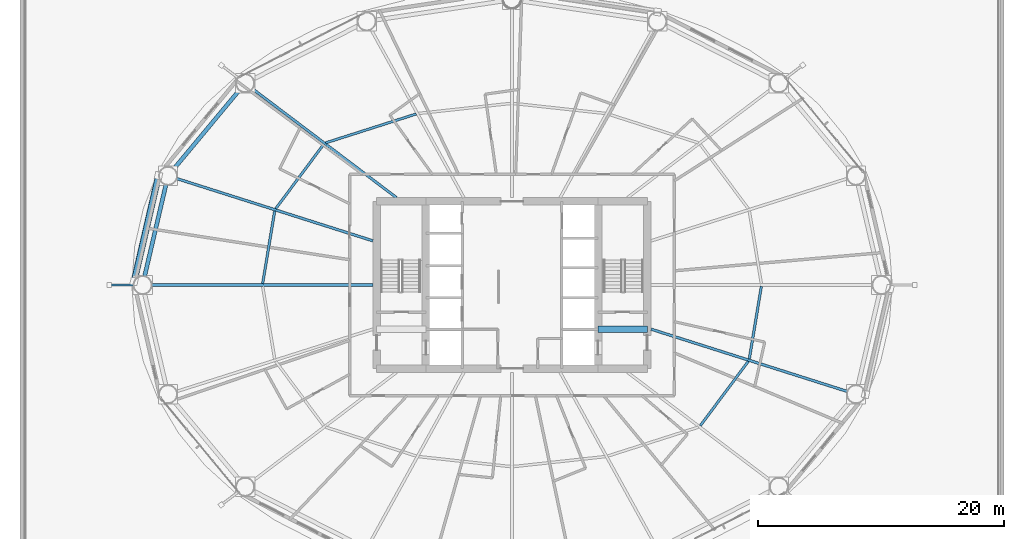
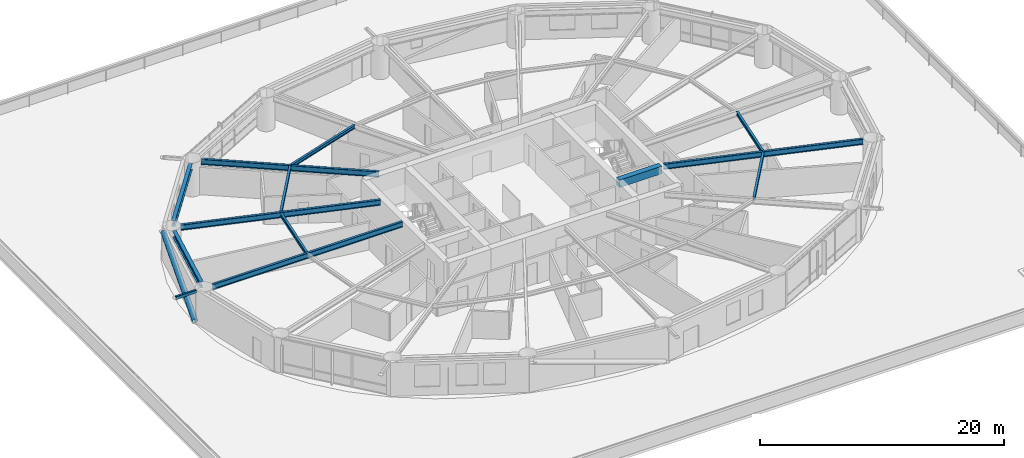
# One storey, part 9 of 30: 12 beams, 2 members.
"""IFC4 building model written with IfcOpenShell, lengths in metres."""

from ifc_helpers import new_model, si_unit, direction, frame, origin, origin_2d, place, context, subcontext, project, spatial, rectangle, hollow_rectangle, hollow_circle, i_section, extrude, material, material_profile, profile_set, type_object, element, save


model = new_model("IFC4")

# Units and contexts
model_context = context("Model", 3, precision=1e-05, world=origin(), true_north=direction((0.0, 1.0)))
body_context = subcontext(model_context, "Body", "Model", "MODEL_VIEW")
ifc_project = project(units=[si_unit("LENGTHUNIT", "METRE"), si_unit("AREAUNIT", "SQUARE_METRE"), si_unit("VOLUMEUNIT", "CUBIC_METRE"), si_unit("PLANEANGLEUNIT", "RADIAN"), si_unit("MASSUNIT", "GRAM", prefix="KILO")], contexts=[model_context])

# Site, building, storey
site_placement = place(None, origin())
site = spatial("IfcSite", under=ifc_project, at=site_placement, CompositionType="ELEMENT")
building_placement = place(site_placement, origin())
building = spatial("IfcBuilding", under=site, at=building_placement, Name="Sarneth Arch Tower", CompositionType="ELEMENT")
storey_placement = place(building_placement, frame((0.0, 0.0, 28.199951171875)))
storey = spatial("IfcBuildingStorey", under=building, at=storey_placement, Name="L05", CompositionType="ELEMENT", Elevation=28.199951171875)

# Beams
ifc_material_1 = material(Name="Steel S355", Category="steel")
ifc_material_profile_1 = material_profile(ifc_material_1, i_section(OverallWidth=0.202880859375, OverallDepth=0.346923828125, WebThickness=0.0078125, FlangeThickness=0.013427734375, FilletRadius=0.014892578125, at=origin_2d()), Name="W360x64")
ifc_profile_set_1 = profile_set([ifc_material_profile_1], Name="Steel S355")
beam_type_1 = type_object("IfcBeamType", Name="BM-JOIST-360C", PredefinedType="JOIST", material=ifc_profile_set_1)
beam_1_placement = place(storey_placement, frame((40.212890625, 55.906005859375, 3.20654296875), z_axis=(-0.95266836992, -0.304011475036, 0.0), x_axis=(0.304011475036, -0.95266836992, 0.0)))
element("IfcBeam", 1, at=beam_1_placement, inside=storey, type_object=beam_type_1, Name="L05 Secondary floor joist 06", PredefinedType="JOIST", context=body_context, shape_type="SweptSolid", body=[
    extrude(i_section(OverallWidth=0.202880859375, OverallDepth=0.346923828125, WebThickness=0.0078125, FlangeThickness=0.013427734375, FilletRadius=0.014892578125, at=origin_2d()), origin(), (0.0, 0.0, 1.0), 7.720703125),
])
beam_2_placement = place(storey_placement, frame((32.691650390625, 53.4404296875, 3.20654296875), z_axis=(-0.597700490469, -0.801719479428, 0.0), x_axis=(0.801719479428, -0.597700490469, 0.0)))
element("IfcBeam", 2, at=beam_2_placement, inside=storey, type_object=beam_type_1, Name="L05 Secondary floor joist 07", PredefinedType="JOIST", context=body_context, shape_type="SweptSolid", body=[
    extrude(i_section(OverallWidth=0.202880859375, OverallDepth=0.346923828125, WebThickness=0.0078125, FlangeThickness=0.013427734375, FilletRadius=0.014892578125, at=origin_2d()), origin(), (0.0, 0.0, 1.0), 6.5302734375),
])
beam_3_placement = place(storey_placement, frame((28.70703125, 48.013916015625, 3.20654296875), z_axis=(-0.16394288124, -0.986469833138, 0.0), x_axis=(0.986469833138, -0.16394288124, 0.0)))
element("IfcBeam", 3, at=beam_3_placement, inside=storey, type_object=beam_type_1, Name="L05 Secondary floor joist 08", PredefinedType="JOIST", context=body_context, shape_type="SweptSolid", body=[
    extrude(i_section(OverallWidth=0.202880859375, OverallDepth=0.346923828125, WebThickness=0.0078125, FlangeThickness=0.013427734375, FilletRadius=0.014892578125, at=origin_2d()), origin(), (0.0, 0.0, 1.0), 5.989501953125),
])
beam_4_placement = place(storey_placement, frame((63.308349609375, 30.5595703125, 3.20654296875), z_axis=(0.597700490469, 0.801719479428, 0.0), x_axis=(-0.801719479428, 0.597700490469, 0.0)))
element("IfcBeam", 4, at=beam_4_placement, inside=storey, type_object=beam_type_1, Name="L05 Secondary floor joist 15", PredefinedType="JOIST", context=body_context, shape_type="SweptSolid", body=[
    extrude(i_section(OverallWidth=0.202880859375, OverallDepth=0.346923828125, WebThickness=0.0078125, FlangeThickness=0.013427734375, FilletRadius=0.014892578125, at=origin_2d()), origin(), (0.0, 0.0, 1.0), 6.5302734375),
])
beam_5_placement = place(storey_placement, frame((67.29296875, 35.986083984375, 3.20654296875), z_axis=(0.16394288124, 0.986469833138, 0.0), x_axis=(-0.986469833138, 0.16394288124, 0.0)))
element("IfcBeam", 5, at=beam_5_placement, inside=storey, type_object=beam_type_1, Name="L05 Secondary floor joist 16", PredefinedType="JOIST", context=body_context, shape_type="SweptSolid", body=[
    extrude(i_section(OverallWidth=0.202880859375, OverallDepth=0.346923828125, WebThickness=0.0078125, FlangeThickness=0.013427734375, FilletRadius=0.014892578125, at=origin_2d()), origin(), (0.0, 0.0, 1.0), 5.989501953125),
])
ifc_material_2 = material(Name="Concrete C50/60", Category="concrete")
ifc_material_profile_2 = material_profile(ifc_material_2, rectangle(XDim=0.5, YDim=0.75, at=origin_2d()), Name="RC-500x750")
ifc_profile_set_2 = profile_set([ifc_material_profile_2], Name="Concrete C50/60")
beam_type_2 = type_object("IfcBeamType", Name="BM-LINTEL-RC", PredefinedType="LINTEL", material=ifc_profile_set_2)
beam_6_placement = place(storey_placement, frame((55.0, 38.39990234375, 3.005126953125), z_axis=(1.0, 0.0, 0.0), x_axis=(0.0, 1.0, 0.0)))
element("IfcBeam", 6, at=beam_6_placement, inside=storey, type_object=beam_type_2, Name="L05 Core coupling lintel E", PredefinedType="LINTEL", context=body_context, shape_type="SweptSolid", body=[
    extrude(rectangle(XDim=0.5, YDim=0.75, at=origin_2d()), origin(), (0.0, 0.0, 1.0), 4.0),
])
ifc_material_3 = material(Name="Steel S355", Category="steel")
ifc_material_profile_3 = material_profile(ifc_material_3, i_section(OverallWidth=0.214111328125, OverallDepth=0.549072265625, WebThickness=0.0146484375, FlangeThickness=0.023681640625, FilletRadius=0.01806640625, at=origin_2d()), Name="W530x138")
ifc_profile_set_3 = profile_set([ifc_material_profile_3], Name="Steel S355")
beam_type_3 = type_object("IfcBeamType", Name="BM-RAD-530A", PredefinedType="BEAM", material=ifc_profile_set_3)
beam_7_placement = place(storey_placement, frame((38.609619140625, 49.10009765625, 3.10546875), z_axis=(-0.79765464731, 0.603114469753, 0.0), x_axis=(-0.603114469753, -0.79765464731, 0.0)))
element("IfcBeam", 7, at=beam_7_placement, inside=storey, type_object=beam_type_3, Name="L05 Radial floor girder 07", PredefinedType="BEAM", context=body_context, shape_type="SweptSolid", body=[
    extrude(i_section(OverallWidth=0.214111328125, OverallDepth=0.549072265625, WebThickness=0.0146484375, FlangeThickness=0.023681640625, FilletRadius=0.01806640625, at=origin_2d()), origin(), (0.0, 0.0, 1.0), 14.677978515625),
])
beam_8_placement = place(storey_placement, frame((36.699951171875, 45.58740234375, 3.10546875), z_axis=(-0.953119859464, 0.30259301627, 0.0), x_axis=(-0.30259301627, -0.953119859464, 0.0)))
element("IfcBeam", 8, at=beam_8_placement, inside=storey, type_object=beam_type_3, Name="L05 Radial floor girder 08", PredefinedType="BEAM", context=body_context, shape_type="SweptSolid", body=[
    extrude(i_section(OverallWidth=0.214111328125, OverallDepth=0.549072265625, WebThickness=0.0146484375, FlangeThickness=0.023681640625, FilletRadius=0.01806640625, at=origin_2d()), origin(), (0.0, 0.0, 1.0), 16.7353515625),
])
beam_9_placement = place(storey_placement, frame((36.699951171875, 42.0, 3.10546875), z_axis=(-1.0, 0.0, 0.0), x_axis=(0.0, -1.0, 0.0)))
element("IfcBeam", 9, at=beam_9_placement, inside=storey, type_object=beam_type_3, Name="L05 Radial floor girder 09", PredefinedType="BEAM", context=body_context, shape_type="SweptSolid", body=[
    extrude(i_section(OverallWidth=0.214111328125, OverallDepth=0.549072265625, WebThickness=0.0146484375, FlangeThickness=0.023681640625, FilletRadius=0.01806640625, at=origin_2d()), origin(), (0.0, 0.0, 1.0), 17.98486328125),
])
beam_10_placement = place(storey_placement, frame((59.300048828125, 38.41259765625, 3.10546875), z_axis=(0.953119859464, -0.30259301627, 0.0), x_axis=(0.30259301627, 0.953119859464, 0.0)))
element("IfcBeam", 10, at=beam_10_placement, inside=storey, type_object=beam_type_3, Name="L05 Radial floor girder 16", PredefinedType="BEAM", context=body_context, shape_type="SweptSolid", body=[
    extrude(i_section(OverallWidth=0.214111328125, OverallDepth=0.549072265625, WebThickness=0.0146484375, FlangeThickness=0.023681640625, FilletRadius=0.01806640625, at=origin_2d()), origin(), (0.0, 0.0, 1.0), 16.7353515625),
])
ifc_material_4 = material(Name="Steel S355", Category="steel")
ifc_material_profile_4 = material_profile(ifc_material_4, i_section(OverallWidth=0.326904296875, OverallDepth=0.6220703125, WebThickness=0.015380859375, FlangeThickness=0.0244140625, FilletRadius=0.01904296875, at=origin_2d()), Name="W610x195")
ifc_profile_set_4 = profile_set([ifc_material_profile_4], Name="Steel S355")
beam_type_4 = type_object("IfcBeamType", Name="BM-SPAN-610A", PredefinedType="SPANDREL", material=ifc_profile_set_4)
beam_11_placement = place(storey_placement, frame((25.8232421875, 57.82861328125, 3.069091796875), z_axis=(-0.639981736251, -0.768390120489, 0.0), x_axis=(0.768390120489, -0.639981736251, 0.0)))
element("IfcBeam", 11, at=beam_11_placement, inside=storey, type_object=beam_type_4, Name="L05 Perimeter spandrel beam 07", PredefinedType="SPANDREL", context=body_context, shape_type="SweptSolid", body=[
    extrude(i_section(OverallWidth=0.326904296875, OverallDepth=0.6220703125, WebThickness=0.015380859375, FlangeThickness=0.0244140625, FilletRadius=0.01904296875, at=origin_2d()), origin(), (0.0, 0.0, 1.0), 8.29541015625),
])
beam_12_placement = place(storey_placement, frame((19.8642578125, 50.14794921875, 3.069091796875), z_axis=(-0.226982354826, -0.973898870827, 0.0), x_axis=(0.973898870827, -0.226982354826, 0.0)))
element("IfcBeam", 12, at=beam_12_placement, inside=storey, type_object=beam_type_4, Name="L05 Perimeter spandrel beam 08", PredefinedType="SPANDREL", context=body_context, shape_type="SweptSolid", body=[
    extrude(i_section(OverallWidth=0.326904296875, OverallDepth=0.6220703125, WebThickness=0.015380859375, FlangeThickness=0.0244140625, FilletRadius=0.01904296875, at=origin_2d()), origin(), (0.0, 0.0, 1.0), 7.6162109375),
])

# Members
ifc_material_5 = material(Name="Steel S355", Category="steel")
ifc_material_profile_5 = material_profile(ifc_material_5, hollow_rectangle(XDim=0.199951171875, YDim=0.300048828125, WallThickness=0.012451171875, InnerFilletRadius=0.018798828125, OuterFilletRadius=0.03125, at=origin_2d()), Name="RHS300x200x12.5")
ifc_profile_set_5 = profile_set([ifc_material_profile_5], Name="Steel S355")
member_type_1 = type_object("IfcMemberType", Name="MEM-CANT-STRUT", PredefinedType="STRUT", material=ifc_profile_set_5)
member_1_placement = place(storey_placement, frame((17.215087890625, 42.0, 3.219970703125), z_axis=(-1.0, 0.0, 0.0), x_axis=(0.0, -1.0, 0.0)))
element("IfcMember", 13, at=member_1_placement, inside=storey, type_object=member_type_1, Name="L05 Balcony cantilever bracket 09", PredefinedType="STRUT", context=body_context, shape_type="SweptSolid", body=[
    extrude(hollow_rectangle(XDim=0.199951171875, YDim=0.300048828125, WallThickness=0.012451171875, InnerFilletRadius=0.018798828125, OuterFilletRadius=0.03125, at=origin_2d()), origin(), (0.0, 0.0, 1.0), 1.94970703125),
])
ifc_material_6 = material(Name="Steel S355", Category="steel")
ifc_material_profile_6 = material_profile(ifc_material_6, hollow_circle(Radius=0.25390625, WallThickness=0.01611328125, at=origin_2d()), Name="CHS508x16")
ifc_profile_set_6 = profile_set([ifc_material_profile_6], Name="Steel S355")
member_type_2 = type_object("IfcMemberType", Name="MEM-DIAG-BR1", PredefinedType="BRACE", material=ifc_profile_set_6)
member_2_placement = place(storey_placement, frame((17.274658203125, 42.292236328125, 0.02001953125), z_axis=(0.213332307958, 0.922814312474, 0.320785085492), x_axis=(-0.974304339016, 0.225235554419, 0.0)))
element("IfcMember", 14, at=member_2_placement, inside=storey, type_object=member_type_2, Name="L05 Perimeter frame diagonal 08", PredefinedType="BRACE", context=body_context, shape_type="SweptSolid", body=[
    extrude(hollow_circle(Radius=0.25390625, WallThickness=0.01611328125, at=origin_2d()), origin(), (0.0, 0.0, 1.0), 9.31103515625),
])

save(model, "model.ifc")
